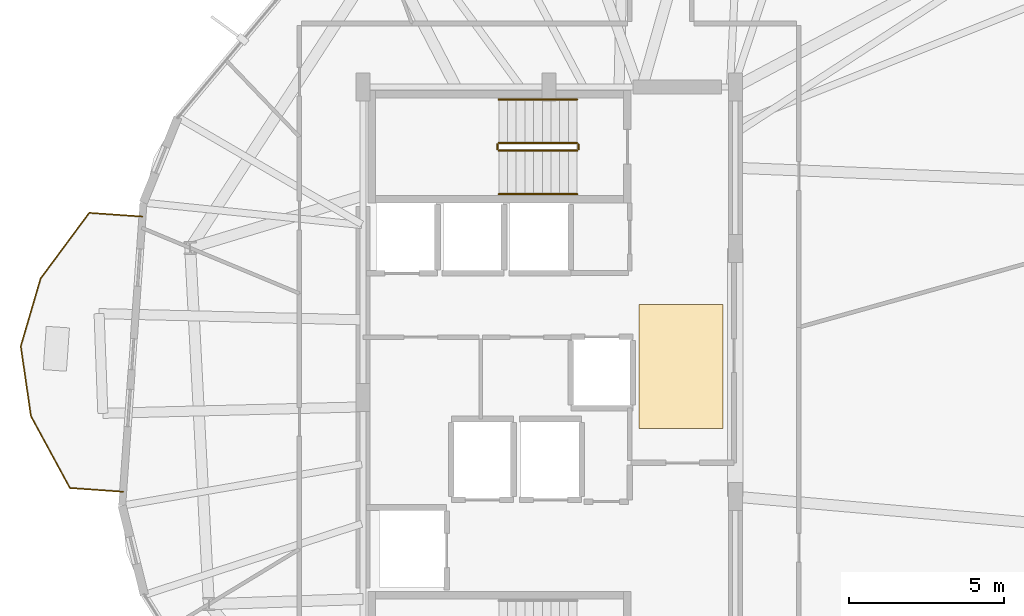
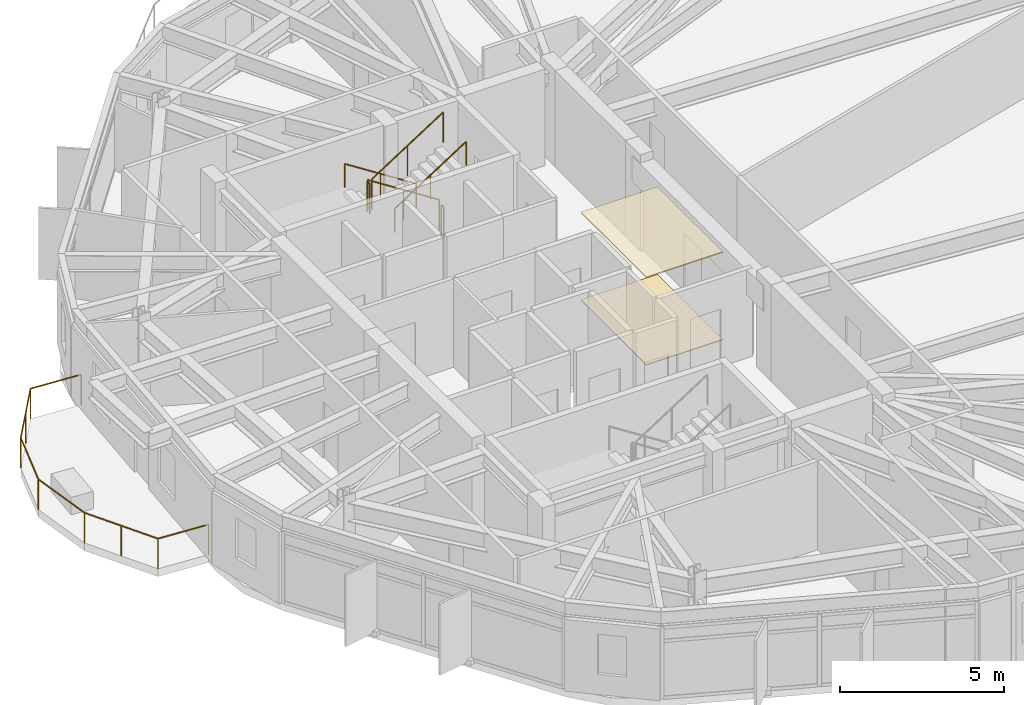
# One storey, part 22 of 23: 7 railings, 2 coverings.
"""IFC4 building model written with IfcOpenShell, lengths in metres."""

from ifc_helpers import new_model, si_unit, direction, frame, origin, origin_2d, place, context, subcontext, project, spatial, polyline, circle, outline, extrude, material, layer, layer_set, type_object, element, save


model = new_model("IFC4")

# Units and contexts
model_context = context("Model", 3, precision=1e-05, world=origin(), true_north=direction((0.0, 1.0)))
body_context = subcontext(model_context, "Body", "Model", "MODEL_VIEW")
ifc_project = project(units=[si_unit("LENGTHUNIT", "METRE"), si_unit("AREAUNIT", "SQUARE_METRE"), si_unit("VOLUMEUNIT", "CUBIC_METRE"), si_unit("PLANEANGLEUNIT", "RADIAN"), si_unit("MASSUNIT", "GRAM", prefix="KILO")], contexts=[model_context])

# Site, building, storey
site_placement = place(None, origin())
site = spatial("IfcSite", under=ifc_project, at=site_placement, CompositionType="ELEMENT")
building_placement = place(site_placement, origin())
building = spatial("IfcBuilding", under=site, at=building_placement, Name="Soratama Intermodal Tower", CompositionType="ELEMENT")
storey_placement = place(building_placement, frame((0.0, 0.0, 215.800048828125)))
storey = spatial("IfcBuildingStorey", under=building, at=storey_placement, Name="L54", CompositionType="ELEMENT", Elevation=215.800048828125)

# Coverings
ifc_material_1 = material(Name="Perforated mineral acoustic ceiling", Category="concrete")
ifc_layer_1 = layer(ifc_material_1, 0.0400390625)
ifc_layer_set_1 = layer_set([ifc_layer_1], Name="Perforated mineral acoustic ceiling")
covering_type_1 = type_object("IfcCoveringType", Name="CV-CEIL-ACOUSTIC", PredefinedType="CEILING", material=ifc_layer_set_1)
covering_1_placement = place(storey_placement, frame((0.0, 0.0, 3.260009765625)))
element("IfcCovering", 1, at=covering_1_placement, inside=storey, type_object=covering_type_1, Name="L54 Acoustic Ceiling", PredefinedType="CEILING", context=body_context, shape_type="SweptSolid", body=[
    extrude(outline(polyline([(41.5, 24.0), (44.199951171875, 24.0), (44.199951171875, 28.0), (41.5, 28.0), (41.5, 24.0)])), origin(), (0.0, 0.0, 1.0), 0.0400390625),
])
ifc_material_2 = material(Name="Polished Andean stone terrazzo flooring", Category="masonry")
ifc_layer_2 = layer(ifc_material_2, 0.030029296875)
ifc_layer_set_2 = layer_set([ifc_layer_2], Name="Polished Andean stone terrazzo flooring")
covering_type_2 = type_object("IfcCoveringType", Name="CV-FLOR-TERRAZZO", PredefinedType="FLOORING", material=ifc_layer_set_2)
covering_2_placement = place(storey_placement, origin())
element("IfcCovering", 2, at=covering_2_placement, inside=storey, type_object=covering_type_2, Name="L54 Lobby Terrazzo Flooring", PredefinedType="FLOORING", context=body_context, shape_type="SweptSolid", body=[
    extrude(outline(polyline([(41.5, 24.0), (44.199951171875, 24.0), (44.199951171875, 28.0), (41.5, 28.0), (41.5, 24.0)])), origin(), (0.0, 0.0, 1.0), 0.030029296875),
])

# Railings
ifc_material_3 = material(Name="Laminated glass and stainless steel balustrade", Category="steel")
railing_type_1 = type_object("IfcRailingType", Name="RL-BAL-1150", PredefinedType="BALUSTRADE", material=ifc_material_3)
railing_1_placement = place(storey_placement, frame((24.87109375, 21.95849609375, 0.0)))
element("IfcRailing", 3, at=railing_1_placement, inside=storey, type_object=railing_type_1, Name="L54 Balcony Balustrade 2", PredefinedType="BALUSTRADE", context=body_context, shape_type="SweptSolid", body=[
    extrude(circle(Radius=0.02392578125, at=origin_2d()), frame((0.0, 0.0, 1.1259765625), z_axis=(-0.997538057668, 0.070127195174, 0.0), x_axis=(-0.070127195174, -0.997538057668, 0.0)), (0.0, 0.0, 1.0), 1.7197265625),
    extrude(circle(Radius=0.02392578125, at=origin_2d()), frame((-1.715576171875, 0.12060546875, 1.1259765625), z_axis=(-0.476617418401, 0.879110821499, 0.0), x_axis=(-0.879110821499, -0.476617418401, 0.0)), (0.0, 0.0, 1.0), 2.635009765625),
    extrude(circle(Radius=0.02392578125, at=origin_2d()), frame((-2.971435546875, 2.43701171875, 1.1259765625), z_axis=(-0.144140495025, 0.989557233157, 0.0), x_axis=(-0.989557233157, -0.144140495025, 0.0)), (0.0, 0.0, 1.0), 2.274658203125),
    extrude(circle(Radius=0.02392578125, at=origin_2d()), frame((-3.29931640625, 4.68798828125, 1.1259765625), z_axis=(0.281079580603, 0.95968446344, 0.0), x_axis=(-0.95968446344, 0.281079580603, 0.0)), (0.0, 0.0, 1.0), 2.27490234375),
    extrude(circle(Radius=0.02392578125, at=origin_2d()), frame((-2.659912109375, 6.87109375, 1.1259765625), z_axis=(0.594932806133, 0.803775438905, 0.0), x_axis=(-0.803775438905, 0.594932806133, 0.0)), (0.0, 0.0, 1.0), 2.635009765625),
    extrude(circle(Radius=0.02392578125, at=origin_2d()), frame((-1.09228515625, 8.989013671875, 1.1259765625), z_axis=(0.997538755644, -0.070117265977, 0.0), x_axis=(0.070117265977, 0.997538755644, 0.0)), (0.0, 0.0, 1.0), 1.719970703125),
    extrude(circle(Radius=0.02099609375, at=origin_2d()), origin(), (0.0, 0.0, 1.0), 1.101806640625),
    extrude(circle(Radius=0.02099609375, at=origin_2d()), frame((-1.715576171875, 0.12060546875, 0.0)), (0.0, 0.0, 1.0), 1.101806640625),
    extrude(circle(Radius=0.02099609375, at=origin_2d()), frame((-2.343505859375, 1.27880859375, 0.0)), (0.0, 0.0, 1.0), 1.101806640625),
    extrude(circle(Radius=0.02099609375, at=origin_2d()), frame((-2.971435546875, 2.43701171875, 0.0)), (0.0, 0.0, 1.0), 1.101806640625),
    extrude(circle(Radius=0.02099609375, at=origin_2d()), frame((-3.29931640625, 4.68798828125, 0.0)), (0.0, 0.0, 1.0), 1.101806640625),
    extrude(circle(Radius=0.02099609375, at=origin_2d()), frame((-2.659912109375, 6.87109375, 0.0)), (0.0, 0.0, 1.0), 1.101806640625),
    extrude(circle(Radius=0.02099609375, at=origin_2d()), frame((-1.8759765625, 7.93017578125, 0.0)), (0.0, 0.0, 1.0), 1.101806640625),
    extrude(circle(Radius=0.02099609375, at=origin_2d()), frame((-1.09228515625, 8.989013671875, 0.0)), (0.0, 0.0, 1.0), 1.101806640625),
    extrude(circle(Radius=0.02099609375, at=origin_2d()), frame((0.62353515625, 8.868408203125, 0.0)), (0.0, 0.0, 1.0), 1.101806640625),
])
ifc_material_4 = material(Name="Painted steel stair guardrail", Category="steel")
railing_type_2 = type_object("IfcRailingType", Name="RL-STAIR-GUARD", PredefinedType="GUARDRAIL", material=ifc_material_4)
railing_2_placement = place(storey_placement, frame((39.5, 33.199951171875, 0.179931640625)))
element("IfcRailing", 4, at=railing_2_placement, inside=storey, type_object=railing_type_2, Name="L54 ST-2 stair guard 1", PredefinedType="GUARDRAIL", context=body_context, shape_type="SweptSolid", body=[
    extrude(circle(Radius=0.02392578125, at=origin_2d()), frame((0.0, 0.0, 1.1259765625), z_axis=(-0.841162588446, 0.0, 0.540782303519), x_axis=(0.0, -1.0, 0.0)), (0.0, 0.0, 1.0), 2.995849609375),
    extrude(circle(Radius=0.02099609375, at=origin_2d()), origin(), (0.0, 0.0, 1.0), 1.101806640625),
    extrude(circle(Radius=0.02099609375, at=origin_2d()), frame((-1.260009765625, 0.0, 0.81005859375)), (0.0, 0.0, 1.0), 1.101806640625),
    extrude(circle(Radius=0.02099609375, at=origin_2d()), frame((-2.52001953125, 0.0, 1.6201171875)), (0.0, 0.0, 1.0), 1.101806640625),
])
railing_3_placement = place(storey_placement, frame((36.929931640625, 33.14990234375, 1.800048828125)))
element("IfcRailing", 5, at=railing_3_placement, inside=storey, type_object=railing_type_2, Name="L54 ST-2 stair guard 2", PredefinedType="GUARDRAIL", context=body_context, shape_type="SweptSolid", body=[
    extrude(circle(Radius=0.02392578125, at=origin_2d()), frame((0.0, 0.0, 1.1259765625), z_axis=(0.0, -1.0, 0.0), x_axis=(1.0, 0.0, 0.0)), (0.0, 0.0, 1.0), 0.14990234375),
    extrude(circle(Radius=0.02099609375, at=origin_2d()), origin(), (0.0, 0.0, 1.0), 1.101806640625),
    extrude(circle(Radius=0.02099609375, at=origin_2d()), frame((0.0, -0.14990234375, 0.0)), (0.0, 0.0, 1.0), 1.101806640625),
])
railing_4_placement = place(storey_placement, frame((36.97998046875, 32.949951171875, 1.97998046875)))
element("IfcRailing", 6, at=railing_4_placement, inside=storey, type_object=railing_type_2, Name="L54 ST-2 stair guard 3", PredefinedType="GUARDRAIL", context=body_context, shape_type="SweptSolid", body=[
    extrude(circle(Radius=0.02392578125, at=origin_2d()), frame((0.0, 0.0, 1.1259765625), z_axis=(0.841199657755, 0.0, 0.540724639528), x_axis=(0.0, 1.0, 0.0)), (0.0, 0.0, 1.0), 2.995849609375),
    extrude(circle(Radius=0.02099609375, at=origin_2d()), origin(), (0.0, 0.0, 1.0), 1.101806640625),
    extrude(circle(Radius=0.02099609375, at=origin_2d()), frame((1.260009765625, 0.0, 0.81005859375)), (0.0, 0.0, 1.0), 1.101806640625),
    extrude(circle(Radius=0.02099609375, at=origin_2d()), frame((2.52001953125, 0.0, 1.619873046875)), (0.0, 0.0, 1.0), 1.101806640625),
])
railing_5_placement = place(storey_placement, frame((39.550048828125, 33.14990234375, 0.0)))
element("IfcRailing", 7, at=railing_5_placement, inside=storey, type_object=railing_type_2, Name="L54 ST-2 stair guard 4", PredefinedType="GUARDRAIL", context=body_context, shape_type="SweptSolid", body=[
    extrude(circle(Radius=0.02392578125, at=origin_2d()), frame((0.0, 0.0, 1.1259765625), z_axis=(0.0, -1.0, 0.0), x_axis=(1.0, 0.0, 0.0)), (0.0, 0.0, 1.0), 0.14990234375),
    extrude(circle(Radius=0.02099609375, at=origin_2d()), origin(), (0.0, 0.0, 1.0), 1.101806640625),
    extrude(circle(Radius=0.02099609375, at=origin_2d()), frame((0.0, -0.14990234375, 0.0)), (0.0, 0.0, 1.0), 1.101806640625),
])
ifc_material_5 = material(Name="Brushed stainless steel handrail", Category="steel")
railing_type_3 = type_object("IfcRailingType", Name="RL-STAIR-HAND", PredefinedType="HANDRAIL", material=ifc_material_5)
railing_6_placement = place(storey_placement, frame((39.5, 34.60009765625, 0.179931640625)))
element("IfcRailing", 8, at=railing_6_placement, inside=storey, type_object=railing_type_3, Name="L54 ST-2 stair handrail 1", PredefinedType="HANDRAIL", context=body_context, shape_type="SweptSolid", body=[
    extrude(circle(Radius=0.02392578125, at=origin_2d()), frame((0.0, 0.0, 0.8759765625), z_axis=(-0.841162588446, 0.0, 0.540782303519), x_axis=(0.0, -1.0, 0.0)), (0.0, 0.0, 1.0), 2.995849609375),
    extrude(circle(Radius=0.02099609375, at=origin_2d()), origin(), (0.0, 0.0, 1.0), 0.851806640625),
    extrude(circle(Radius=0.02099609375, at=origin_2d()), frame((-1.260009765625, 0.0, 0.81005859375)), (0.0, 0.0, 1.0), 0.851806640625),
    extrude(circle(Radius=0.02099609375, at=origin_2d()), frame((-2.52001953125, 0.0, 1.6201171875)), (0.0, 0.0, 1.0), 0.851806640625),
])
railing_7_placement = place(storey_placement, frame((36.97998046875, 31.550048828125, 1.97998046875)))
element("IfcRailing", 9, at=railing_7_placement, inside=storey, type_object=railing_type_3, Name="L54 ST-2 stair handrail 2", PredefinedType="HANDRAIL", context=body_context, shape_type="SweptSolid", body=[
    extrude(circle(Radius=0.02392578125, at=origin_2d()), frame((0.0, 0.0, 0.8759765625), z_axis=(0.841199657755, 0.0, 0.540724639528), x_axis=(0.0, 1.0, 0.0)), (0.0, 0.0, 1.0), 2.995849609375),
    extrude(circle(Radius=0.02099609375, at=origin_2d()), origin(), (0.0, 0.0, 1.0), 0.851806640625),
    extrude(circle(Radius=0.02099609375, at=origin_2d()), frame((1.260009765625, 0.0, 0.81005859375)), (0.0, 0.0, 1.0), 0.851806640625),
    extrude(circle(Radius=0.02099609375, at=origin_2d()), frame((2.52001953125, 0.0, 1.619873046875)), (0.0, 0.0, 1.0), 0.851806640625),
])

save(model, "model.ifc")
